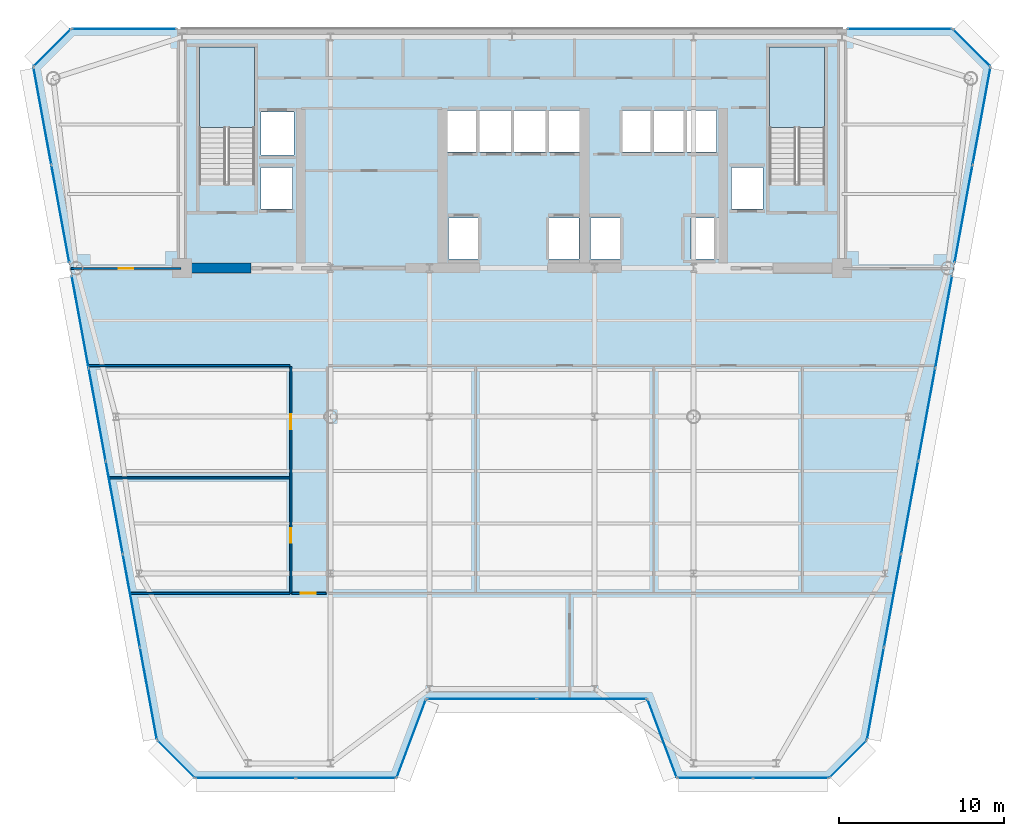
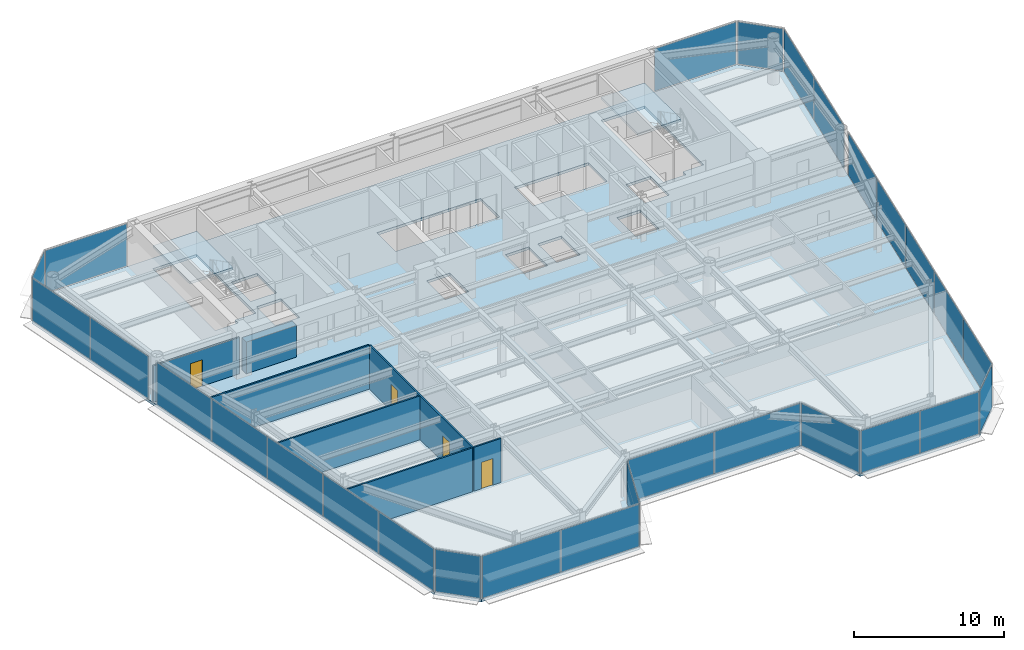
# One storey, part 9 of 16: 28 plates, 7 walls, 4 doors, 3 slabs, 4 openings, 17 elements without a shape of their own.
"""IFC4 building model written with IfcOpenShell, lengths in metres."""

from ifc_helpers import new_model, si_unit, direction, frame, frame_2d, origin, origin_2d, place, context, subcontext, project, spatial, polyline, rectangle, outline, extrude, source, transform, mapped, material, layer, layer_set, type_object, element, fill, aggregate, save


model = new_model("IFC4")

# Units and contexts
model_context = context("Model", 3, precision=1e-05, world=origin(), true_north=direction((0.0, 1.0)))
body_context = subcontext(model_context, "Body", "Model", "MODEL_VIEW")
ifc_project = project(units=[si_unit("LENGTHUNIT", "METRE"), si_unit("AREAUNIT", "SQUARE_METRE"), si_unit("VOLUMEUNIT", "CUBIC_METRE"), si_unit("PLANEANGLEUNIT", "RADIAN"), si_unit("MASSUNIT", "GRAM", prefix="KILO")], contexts=[model_context])

# Site, building, storey
site_placement = place(None, origin())
site = spatial("IfcSite", under=ifc_project, at=site_placement, CompositionType="ELEMENT")
building_placement = place(site_placement, origin())
building = spatial("IfcBuilding", under=site, at=building_placement, Name="Vaeldorn Concourse Tower", CompositionType="ELEMENT")
storey_placement = place(building_placement, frame((0.0, 0.0, 188.0)))
storey = spatial("IfcBuildingStorey", under=building, at=storey_placement, Name="L48", CompositionType="ELEMENT", Elevation=188.0)

# Stair, slab
ifc_material_1 = material(Name="Precast concrete C40/50", Category="concrete")
stair_type = type_object("IfcStairType", Name="STR-DOG-24x158", PredefinedType="HALF_TURN_STAIR", material=ifc_material_1)
stair_1_placement = place(storey_placement, origin())
stair_1 = element("IfcStair", 1, at=stair_1_placement, inside=storey, type_object=stair_type, Name="L48 West Core Exit Stair ST-1", PredefinedType="HALF_TURN_STAIR")
ifc_material_2 = material(Name="Concrete C40/50", Category="concrete")
ifc_layer_1 = layer(ifc_material_2, 0.199951171875)
ifc_layer_set_1 = layer_set([ifc_layer_1], Name="Concrete C40/50")
slab_type_1 = type_object("IfcSlabType", Name="SL-STAIR-LANDING", PredefinedType="LANDING", material=ifc_layer_set_1)
slab_1_placement = place(storey_placement, frame((0.0, 0.0, 1.699951171875)))
slab_1 = element("IfcSlab", 2, at=slab_1_placement, type_object=slab_type_1, Name="ST-1 landing 1", PredefinedType="LANDING", context=body_context, shape_type="SweptSolid", body=[
    extrude(outline(polyline([(18.39990234375, 45.010009765625), (18.39990234375, 49.89990234375), (15.050048828125, 49.89990234375), (15.050048828125, 45.010009765625), (18.39990234375, 45.010009765625)])), origin(), (0.0, 0.0, 1.0), 0.199951171875),
])
aggregate(stair_1, [slab_1])

stair_2_placement = place(storey_placement, origin())
stair_2 = element("IfcStair", 3, at=stair_2_placement, inside=storey, type_object=stair_type, Name="L48 East Core Exit Stair ST-2", PredefinedType="HALF_TURN_STAIR")
slab_2_placement = place(storey_placement, frame((0.0, 0.0, 1.699951171875)))
slab_2 = element("IfcSlab", 4, at=slab_2_placement, type_object=slab_type_1, Name="ST-2 landing 1", PredefinedType="LANDING", context=body_context, shape_type="SweptSolid", body=[
    extrude(outline(polyline([(52.949951171875, 45.010009765625), (52.949951171875, 49.89990234375), (49.60009765625, 49.89990234375), (49.60009765625, 45.010009765625), (52.949951171875, 45.010009765625)])), origin(), (0.0, 0.0, 1.0), 0.199951171875),
])
aggregate(stair_2, [slab_2])

# Slab
ifc_layer_2 = layer(ifc_material_2, 0.219970703125)
ifc_layer_set_2 = layer_set([ifc_layer_2], Name="Concrete C40/50")
slab_type_2 = type_object("IfcSlabType", Name="SL-TYP-220", PredefinedType="FLOOR", material=ifc_layer_set_2)
slab_3_placement = place(storey_placement, frame((0.0, 0.0, -0.219970703125)))
element("IfcSlab", 5, at=slab_3_placement, inside=storey, type_object=slab_type_2, Name="Structural Floor Slab L48", PredefinedType="FLOOR", context=body_context, shape_type="SweptSolid", body=[
    extrude(outline(polyline([(14.791015625, 5.60009765625), (27.0, 5.60009765625), (28.800048828125, 10.39990234375), (42.199951171875, 10.39990234375), (44.0, 5.60009765625), (53.208984375, 5.60009765625), (55.509033203125, 7.89990234375), (63.0, 48.699951171875), (60.699951171875, 51.0), (7.300048828125, 51.0), (5.0, 48.699951171875), (12.490966796875, 7.89990234375), (14.791015625, 5.60009765625)]), holes=[polyline([(18.39990234375, 42.0), (18.39990234375, 49.89990234375), (15.050048828125, 49.89990234375), (15.050048828125, 41.60009765625), (16.800048828125, 41.60009765625), (16.800048828125, 42.0), (18.39990234375, 42.0)]), polyline([(52.949951171875, 42.0), (52.949951171875, 49.89990234375), (49.60009765625, 49.89990234375), (49.60009765625, 41.60009765625), (51.35009765625, 41.60009765625), (51.35009765625, 42.0), (52.949951171875, 42.0)]), polyline([(30.14990234375, 37.050048828125), (31.949951171875, 37.050048828125), (31.949951171875, 39.550048828125), (30.14990234375, 39.550048828125), (30.14990234375, 37.050048828125)]), polyline([(36.25, 37.050048828125), (38.050048828125, 37.050048828125), (38.050048828125, 39.550048828125), (36.25, 39.550048828125), (36.25, 37.050048828125)]), polyline([(30.10009765625, 43.550048828125), (38.10009765625, 43.550048828125), (38.10009765625, 46.050048828125), (30.10009765625, 46.050048828125), (30.10009765625, 43.550048828125)]), polyline([(38.75, 37.050048828125), (40.550048828125, 37.050048828125), (40.550048828125, 39.550048828125), (38.75, 39.550048828125), (38.75, 37.050048828125)]), polyline([(44.85009765625, 37.050048828125), (46.64990234375, 37.050048828125), (46.64990234375, 39.550048828125), (44.85009765625, 39.550048828125), (44.85009765625, 37.050048828125)]), polyline([(40.699951171875, 43.550048828125), (46.39990234375, 43.550048828125), (46.39990234375, 46.050048828125), (40.699951171875, 46.050048828125), (40.699951171875, 43.550048828125)]), polyline([(18.800048828125, 43.35009765625), (20.800048828125, 43.35009765625), (20.800048828125, 45.949951171875), (18.800048828125, 45.949951171875), (18.800048828125, 43.35009765625)]), polyline([(18.800048828125, 40.10009765625), (20.699951171875, 40.10009765625), (20.699951171875, 42.60009765625), (18.800048828125, 42.60009765625), (18.800048828125, 40.10009765625)]), polyline([(47.300048828125, 40.10009765625), (49.199951171875, 40.10009765625), (49.199951171875, 42.60009765625), (47.300048828125, 42.60009765625), (47.300048828125, 40.10009765625)])]), origin(), (0.0, 0.0, 1.0), 0.219970703125),
])

# Curtain wall, plate
ifc_material_3 = material(Name="Anodised Bronze Aluminium", Category="aluminium")
ifc_layer_3 = layer(ifc_material_3, 0.18994140625)
ifc_layer_set_3 = layer_set([ifc_layer_3], Name="Anodised Bronze Aluminium")
curtain_wall_type = type_object("IfcCurtainWallType", Name="CW-SYS-03", PredefinedType="NOTDEFINED", material=ifc_layer_set_3)
curtain_wall_1_placement = place(storey_placement, origin())
curtain_wall_1 = element("IfcCurtainWall", 6, at=curtain_wall_1_placement, inside=storey, type_object=curtain_wall_type, Name="Unitised Curtain Wall CW-L48-E02-1", PredefinedType="NOTDEFINED")
ifc_material_4 = material(Name="Bronze Tinted Low-E Insulated Glass", Category="glass")
ifc_layer_4 = layer(ifc_material_4, 0.031982421875)
ifc_layer_set_4 = layer_set([ifc_layer_4], Name="Bronze Tinted Low-E Insulated Glass")
plate_type = type_object("IfcPlateType", Name="CWP-VISION-32", PredefinedType="CURTAIN_PANEL", material=ifc_layer_set_4)
shared_shape_1 = source(origin(), body_context, "Body", "SweptSolid", [
    extrude(rectangle(XDim=4.996337890625, YDim=0.031982421875, at=origin_2d()), origin(), (0.0, 0.0, 1.0), 3.449951171875),
])
plate_1_placement = place(storey_placement, frame((27.89990234375, 8.0, 0.06494140625), z_axis=(0.0, 0.0, 1.0), x_axis=(0.351123441595, 0.936329177566, 0.0)))
plate_1 = element("IfcPlate", 7, at=plate_1_placement, type_object=plate_type, Name="CW-03 panel 1.1", PredefinedType="CURTAIN_PANEL", context=body_context, shape_type="MappedRepresentation", body=[
    mapped(shared_shape_1, transform((0.0, 0.0, 0.0), scale=1.0)),
])
aggregate(curtain_wall_1, [plate_1])

curtain_wall_2_placement = place(storey_placement, origin())
curtain_wall_2 = element("IfcCurtainWall", 8, at=curtain_wall_2_placement, inside=storey, type_object=curtain_wall_type, Name="Unitised Curtain Wall CW-L48-E04-1", PredefinedType="NOTDEFINED")
plate_2_placement = place(storey_placement, frame((43.10009765625, 8.0, 0.06494140625), z_axis=(0.0, 0.0, 1.0), x_axis=(0.351123441595, -0.936329177566, 0.0)))
plate_2 = element("IfcPlate", 9, at=plate_2_placement, type_object=plate_type, Name="CW-03 panel 1.1", PredefinedType="CURTAIN_PANEL", context=body_context, shape_type="MappedRepresentation", body=[
    mapped(shared_shape_1, transform((0.0, 0.0, 0.0), scale=1.0)),
])
aggregate(curtain_wall_2, [plate_2])

# Curtain wall, plates
curtain_wall_3_placement = place(storey_placement, origin())
curtain_wall_3 = element("IfcCurtainWall", 10, at=curtain_wall_3_placement, inside=storey, type_object=curtain_wall_type, Name="Unitised Curtain Wall CW-L48-E03-1", PredefinedType="NOTDEFINED")
shared_shape_2 = source(origin(), body_context, "Body", "SweptSolid", [
    extrude(rectangle(XDim=6.6025390625, YDim=0.031982421875, at=origin_2d()), origin(), (0.0, 0.0, 1.0), 3.449951171875),
])
plate_3_placement = place(storey_placement, frame((32.166259765625, 10.39990234375, 0.06494140625), z_axis=(0.0, 0.0, 1.0), x_axis=(1.0, 0.0, 0.0)))
plate_3 = element("IfcPlate", 11, at=plate_3_placement, type_object=plate_type, Name="CW-03 panel 1.1", PredefinedType="CURTAIN_PANEL", context=body_context, shape_type="MappedRepresentation", body=[
    mapped(shared_shape_2, transform((0.0, 0.0, 0.0), scale=1.0)),
])
plate_4_placement = place(storey_placement, frame((38.833740234375, 10.39990234375, 0.06494140625), z_axis=(0.0, 0.0, 1.0), x_axis=(1.0, 0.0, 0.0)))
plate_4 = element("IfcPlate", 12, at=plate_4_placement, type_object=plate_type, Name="CW-03 panel 2.1", PredefinedType="CURTAIN_PANEL", context=body_context, shape_type="MappedRepresentation", body=[
    mapped(shared_shape_2, transform((0.0, 0.0, 0.0), scale=1.0)),
])
aggregate(curtain_wall_3, [plate_3, plate_4])

# Curtain wall, plate
curtain_wall_4_placement = place(storey_placement, origin())
curtain_wall_4 = element("IfcCurtainWall", 13, at=curtain_wall_4_placement, inside=storey, type_object=curtain_wall_type, Name="Unitised Curtain Wall CW-L48-E06-1", PredefinedType="NOTDEFINED")
shared_shape_3 = source(origin(), body_context, "Body", "SweptSolid", [
    extrude(rectangle(XDim=3.122802734375, YDim=0.031982421875, at=origin_2d()), origin(), (0.0, 0.0, 1.0), 3.449951171875),
])
plate_5_placement = place(storey_placement, frame((54.35888671875, 6.75, 0.06494140625), z_axis=(0.0, 0.0, 1.0), x_axis=(0.707106781187, 0.707106781187, 0.0)))
plate_5 = element("IfcPlate", 14, at=plate_5_placement, type_object=plate_type, Name="CW-03 panel 1.1", PredefinedType="CURTAIN_PANEL", context=body_context, shape_type="MappedRepresentation", body=[
    mapped(shared_shape_3, transform((0.0, 0.0, 0.0), scale=1.0)),
])
aggregate(curtain_wall_4, [plate_5])

curtain_wall_5_placement = place(storey_placement, origin())
curtain_wall_5 = element("IfcCurtainWall", 15, at=curtain_wall_5_placement, inside=storey, type_object=curtain_wall_type, Name="Unitised Curtain Wall CW-L48-E08-1", PredefinedType="NOTDEFINED")
plate_6_placement = place(storey_placement, frame((61.85009765625, 49.85009765625, 0.06494140625), z_axis=(0.0, 0.0, 1.0), x_axis=(-0.707106781187, 0.707106781187, 0.0)))
plate_6 = element("IfcPlate", 16, at=plate_6_placement, type_object=plate_type, Name="CW-03 panel 1.1", PredefinedType="CURTAIN_PANEL", context=body_context, shape_type="MappedRepresentation", body=[
    mapped(shared_shape_3, transform((0.0, 0.0, 0.0), scale=1.0)),
])
aggregate(curtain_wall_5, [plate_6])

curtain_wall_6_placement = place(storey_placement, origin())
curtain_wall_6 = element("IfcCurtainWall", 17, at=curtain_wall_6_placement, inside=storey, type_object=curtain_wall_type, Name="Unitised Curtain Wall CW-L48-E10-1", PredefinedType="NOTDEFINED")
plate_7_placement = place(storey_placement, frame((6.14990234375, 49.85009765625, 0.06494140625), z_axis=(0.0, 0.0, 1.0), x_axis=(-0.707106781187, -0.707106781187, 0.0)))
plate_7 = element("IfcPlate", 18, at=plate_7_placement, type_object=plate_type, Name="CW-03 panel 1.1", PredefinedType="CURTAIN_PANEL", context=body_context, shape_type="MappedRepresentation", body=[
    mapped(shared_shape_3, transform((0.0, 0.0, 0.0), scale=1.0)),
])
aggregate(curtain_wall_6, [plate_7])

curtain_wall_7_placement = place(storey_placement, origin())
curtain_wall_7 = element("IfcCurtainWall", 19, at=curtain_wall_7_placement, inside=storey, type_object=curtain_wall_type, Name="Unitised Curtain Wall CW-L48-E12-1", PredefinedType="NOTDEFINED")
plate_8_placement = place(storey_placement, frame((13.64111328125, 6.75, 0.06494140625), z_axis=(0.0, 0.0, 1.0), x_axis=(0.707106781187, -0.707106781187, 0.0)))
plate_8 = element("IfcPlate", 20, at=plate_8_placement, type_object=plate_type, Name="CW-03 panel 1.1", PredefinedType="CURTAIN_PANEL", context=body_context, shape_type="MappedRepresentation", body=[
    mapped(shared_shape_3, transform((0.0, 0.0, 0.0), scale=1.0)),
])
aggregate(curtain_wall_7, [plate_8])

curtain_wall_8_placement = place(storey_placement, origin())
curtain_wall_8 = element("IfcCurtainWall", 21, at=curtain_wall_8_placement, inside=storey, type_object=curtain_wall_type, Name="Unitised Curtain Wall CW-L48-E09-1", PredefinedType="NOTDEFINED")
shared_shape_4 = source(origin(), body_context, "Body", "SweptSolid", [
    extrude(rectangle(XDim=6.27490234375, YDim=0.031982421875, at=origin_2d()), origin(), (0.0, 0.0, 1.0), 3.449951171875),
])
plate_9_placement = place(storey_placement, frame((57.49755859375, 51.0, 0.06494140625), z_axis=(0.0, 0.0, 1.0), x_axis=(-1.0, 0.0, 0.0)))
plate_9 = element("IfcPlate", 22, at=plate_9_placement, type_object=plate_type, Name="CW-03 panel 1.1", PredefinedType="CURTAIN_PANEL", context=body_context, shape_type="MappedRepresentation", body=[
    mapped(shared_shape_4, transform((0.0, 0.0, 0.0), scale=1.0)),
])
aggregate(curtain_wall_8, [plate_9])

curtain_wall_9_placement = place(storey_placement, origin())
curtain_wall_9 = element("IfcCurtainWall", 23, at=curtain_wall_9_placement, inside=storey, type_object=curtain_wall_type, Name="Unitised Curtain Wall CW-L48-E09-2", PredefinedType="NOTDEFINED")
plate_10_placement = place(storey_placement, frame((10.50244140625, 51.0, 0.06494140625), z_axis=(0.0, 0.0, 1.0), x_axis=(-1.0, 0.0, 0.0)))
plate_10 = element("IfcPlate", 24, at=plate_10_placement, type_object=plate_type, Name="CW-03 panel 1.1", PredefinedType="CURTAIN_PANEL", context=body_context, shape_type="MappedRepresentation", body=[
    mapped(shared_shape_4, transform((0.0, 0.0, 0.0), scale=1.0)),
])
aggregate(curtain_wall_9, [plate_10])

# Curtain wall, plates
curtain_wall_10_placement = place(storey_placement, origin())
curtain_wall_10 = element("IfcCurtainWall", 25, at=curtain_wall_10_placement, inside=storey, type_object=curtain_wall_type, Name="Unitised Curtain Wall CW-L48-E07-1", PredefinedType="NOTDEFINED")
shared_shape_5 = source(origin(), body_context, "Body", "SweptSolid", [
    extrude(rectangle(XDim=5.63330078125, YDim=0.031982421875, at=origin_2d()), origin(), (0.0, 0.0, 1.0), 3.449951171875),
])
plate_11_placement = place(storey_placement, frame((56.029296875, 10.734375, 0.06494140625), z_axis=(0.0, 0.0, 1.0), x_axis=(0.180585309951, 0.983559325018, 0.0)))
plate_11 = element("IfcPlate", 26, at=plate_11_placement, type_object=plate_type, Name="CW-03 panel 1.1", PredefinedType="CURTAIN_PANEL", context=body_context, shape_type="MappedRepresentation", body=[
    mapped(shared_shape_5, transform((0.0, 0.0, 0.0), scale=1.0)),
])
plate_12_placement = place(storey_placement, frame((60.1630859375, 33.249267578125, 0.06494140625), z_axis=(0.0, 0.0, 1.0), x_axis=(0.180585309951, 0.983559325018, 0.0)))
plate_12 = element("IfcPlate", 27, at=plate_12_placement, type_object=plate_type, Name="CW-03 panel 5.1", PredefinedType="CURTAIN_PANEL", context=body_context, shape_type="MappedRepresentation", body=[
    mapped(shared_shape_5, transform((0.0, 0.0, 0.0), scale=1.0)),
])

curtain_wall_11_placement = place(storey_placement, origin())
curtain_wall_11 = element("IfcCurtainWall", 28, at=curtain_wall_11_placement, inside=storey, type_object=curtain_wall_type, Name="Unitised Curtain Wall CW-L48-E11-2", PredefinedType="NOTDEFINED")
plate_13_placement = place(storey_placement, frame((7.8369140625, 33.249267578125, 0.06494140625), z_axis=(0.0, 0.0, 1.0), x_axis=(0.180585309951, -0.983559325018, 0.0)))
plate_13 = element("IfcPlate", 29, at=plate_13_placement, type_object=plate_type, Name="CW-03 panel 1.1", PredefinedType="CURTAIN_PANEL", context=body_context, shape_type="MappedRepresentation", body=[
    mapped(shared_shape_5, transform((0.0, 0.0, 0.0), scale=1.0)),
])
plate_14_placement = place(storey_placement, frame((11.970703125, 10.734375, 0.06494140625), z_axis=(0.0, 0.0, 1.0), x_axis=(0.180585309951, -0.983559325018, 0.0)))
plate_14 = element("IfcPlate", 30, at=plate_14_placement, type_object=plate_type, Name="CW-03 panel 5.1", PredefinedType="CURTAIN_PANEL", context=body_context, shape_type="MappedRepresentation", body=[
    mapped(shared_shape_5, transform((0.0, 0.0, 0.0), scale=1.0)),
])

# Plate
shared_shape_6 = source(origin(), body_context, "Body", "SweptSolid", [
    extrude(rectangle(XDim=5.666015625, YDim=0.031982421875, at=origin_2d()), origin(), (0.0, 0.0, 1.0), 3.449951171875),
])
plate_15_placement = place(storey_placement, frame((57.061279296875, 16.35498046875, 0.06494140625), z_axis=(0.0, 0.0, 1.0), x_axis=(0.180585309951, 0.983559325018, 0.0)))
plate_15 = element("IfcPlate", 31, at=plate_15_placement, type_object=plate_type, Name="CW-03 panel 2.1", PredefinedType="CURTAIN_PANEL", context=body_context, shape_type="MappedRepresentation", body=[
    mapped(shared_shape_6, transform((0.0, 0.0, 0.0), scale=1.0)),
])

plate_16_placement = place(storey_placement, frame((58.09619140625, 21.99169921875, 0.06494140625), z_axis=(0.0, 0.0, 1.0), x_axis=(0.180585309951, 0.983559325018, 0.0)))
plate_16 = element("IfcPlate", 32, at=plate_16_placement, type_object=plate_type, Name="CW-03 panel 3.1", PredefinedType="CURTAIN_PANEL", context=body_context, shape_type="MappedRepresentation", body=[
    mapped(shared_shape_6, transform((0.0, 0.0, 0.0), scale=1.0)),
])

plate_17_placement = place(storey_placement, frame((59.131103515625, 27.62841796875, 0.06494140625), z_axis=(0.0, 0.0, 1.0), x_axis=(0.180585309951, 0.983559325018, 0.0)))
plate_17 = element("IfcPlate", 33, at=plate_17_placement, type_object=plate_type, Name="CW-03 panel 4.1", PredefinedType="CURTAIN_PANEL", context=body_context, shape_type="MappedRepresentation", body=[
    mapped(shared_shape_6, transform((0.0, 0.0, 0.0), scale=1.0)),
])

aggregate(curtain_wall_10, [plate_11, plate_15, plate_16, plate_17, plate_12])

plate_18_placement = place(storey_placement, frame((8.868896484375, 27.62841796875, 0.06494140625), z_axis=(0.0, 0.0, 1.0), x_axis=(0.180585309951, -0.983559325018, 0.0)))
plate_18 = element("IfcPlate", 34, at=plate_18_placement, type_object=plate_type, Name="CW-03 panel 2.1", PredefinedType="CURTAIN_PANEL", context=body_context, shape_type="MappedRepresentation", body=[
    mapped(shared_shape_6, transform((0.0, 0.0, 0.0), scale=1.0)),
])

plate_19_placement = place(storey_placement, frame((9.90380859375, 21.99169921875, 0.06494140625), z_axis=(0.0, 0.0, 1.0), x_axis=(0.180585309951, -0.983559325018, 0.0)))
plate_19 = element("IfcPlate", 35, at=plate_19_placement, type_object=plate_type, Name="CW-03 panel 3.1", PredefinedType="CURTAIN_PANEL", context=body_context, shape_type="MappedRepresentation", body=[
    mapped(shared_shape_6, transform((0.0, 0.0, 0.0), scale=1.0)),
])

plate_20_placement = place(storey_placement, frame((10.938720703125, 16.35498046875, 0.06494140625), z_axis=(0.0, 0.0, 1.0), x_axis=(0.180585309951, -0.983559325018, 0.0)))
plate_20 = element("IfcPlate", 36, at=plate_20_placement, type_object=plate_type, Name="CW-03 panel 4.1", PredefinedType="CURTAIN_PANEL", context=body_context, shape_type="MappedRepresentation", body=[
    mapped(shared_shape_6, transform((0.0, 0.0, 0.0), scale=1.0)),
])

aggregate(curtain_wall_11, [plate_13, plate_18, plate_19, plate_20, plate_14])

# Curtain wall, plates
curtain_wall_12_placement = place(storey_placement, origin())
curtain_wall_12 = element("IfcCurtainWall", 37, at=curtain_wall_12_placement, inside=storey, type_object=curtain_wall_type, Name="Unitised Curtain Wall CW-L48-E07-2", PredefinedType="NOTDEFINED")
shared_shape_7 = source(origin(), body_context, "Body", "SweptSolid", [
    extrude(rectangle(XDim=5.9482421875, YDim=0.031982421875, at=origin_2d()), origin(), (0.0, 0.0, 1.0), 3.449951171875),
])
plate_21_placement = place(storey_placement, frame((61.365234375, 39.796630859375, 0.06494140625), z_axis=(0.0, 0.0, 1.0), x_axis=(0.180584576845, 0.983559459619, 0.0)))
plate_21 = element("IfcPlate", 38, at=plate_21_placement, type_object=plate_type, Name="CW-03 panel 1.1", PredefinedType="CURTAIN_PANEL", context=body_context, shape_type="MappedRepresentation", body=[
    mapped(shared_shape_7, transform((0.0, 0.0, 0.0), scale=1.0)),
])
plate_22_placement = place(storey_placement, frame((62.451171875, 45.7109375, 0.06494140625), z_axis=(0.0, 0.0, 1.0), x_axis=(0.180584576845, 0.983559459619, 0.0)))
plate_22 = element("IfcPlate", 39, at=plate_22_placement, type_object=plate_type, Name="CW-03 panel 2.1", PredefinedType="CURTAIN_PANEL", context=body_context, shape_type="MappedRepresentation", body=[
    mapped(shared_shape_7, transform((0.0, 0.0, 0.0), scale=1.0)),
])
aggregate(curtain_wall_12, [plate_21, plate_22])

curtain_wall_13_placement = place(storey_placement, origin())
curtain_wall_13 = element("IfcCurtainWall", 40, at=curtain_wall_13_placement, inside=storey, type_object=curtain_wall_type, Name="Unitised Curtain Wall CW-L48-E11-1", PredefinedType="NOTDEFINED")
plate_23_placement = place(storey_placement, frame((5.548828125, 45.7109375, 0.06494140625), z_axis=(0.0, 0.0, 1.0), x_axis=(0.180584576845, -0.983559459619, 0.0)))
plate_23 = element("IfcPlate", 41, at=plate_23_placement, type_object=plate_type, Name="CW-03 panel 1.1", PredefinedType="CURTAIN_PANEL", context=body_context, shape_type="MappedRepresentation", body=[
    mapped(shared_shape_7, transform((0.0, 0.0, 0.0), scale=1.0)),
])
plate_24_placement = place(storey_placement, frame((6.634765625, 39.796630859375, 0.06494140625), z_axis=(0.0, 0.0, 1.0), x_axis=(0.180584576845, -0.983559459619, 0.0)))
plate_24 = element("IfcPlate", 42, at=plate_24_placement, type_object=plate_type, Name="CW-03 panel 2.1", PredefinedType="CURTAIN_PANEL", context=body_context, shape_type="MappedRepresentation", body=[
    mapped(shared_shape_7, transform((0.0, 0.0, 0.0), scale=1.0)),
])
aggregate(curtain_wall_13, [plate_23, plate_24])

curtain_wall_14_placement = place(storey_placement, origin())
curtain_wall_14 = element("IfcCurtainWall", 43, at=curtain_wall_14_placement, inside=storey, type_object=curtain_wall_type, Name="Unitised Curtain Wall CW-L48-E01-1", PredefinedType="NOTDEFINED")
shared_shape_8 = source(origin(), body_context, "Body", "SweptSolid", [
    extrude(rectangle(XDim=6.007080078125, YDim=0.031982421875, at=origin_2d()), origin(), (0.0, 0.0, 1.0), 3.449951171875),
])
plate_25_placement = place(storey_placement, frame((17.859619140625, 5.60009765625, 0.06494140625), z_axis=(0.0, 0.0, 1.0), x_axis=(1.0, 0.0, 0.0)))
plate_25 = element("IfcPlate", 44, at=plate_25_placement, type_object=plate_type, Name="CW-03 panel 1.1", PredefinedType="CURTAIN_PANEL", context=body_context, shape_type="MappedRepresentation", body=[
    mapped(shared_shape_8, transform((0.0, 0.0, 0.0), scale=1.0)),
])
plate_26_placement = place(storey_placement, frame((23.931396484375, 5.60009765625, 0.06494140625), z_axis=(0.0, 0.0, 1.0), x_axis=(1.0, 0.0, 0.0)))
plate_26 = element("IfcPlate", 45, at=plate_26_placement, type_object=plate_type, Name="CW-03 panel 2.1", PredefinedType="CURTAIN_PANEL", context=body_context, shape_type="MappedRepresentation", body=[
    mapped(shared_shape_8, transform((0.0, 0.0, 0.0), scale=1.0)),
])
aggregate(curtain_wall_14, [plate_25, plate_26])

curtain_wall_15_placement = place(storey_placement, origin())
curtain_wall_15 = element("IfcCurtainWall", 46, at=curtain_wall_15_placement, inside=storey, type_object=curtain_wall_type, Name="Unitised Curtain Wall CW-L48-E05-1", PredefinedType="NOTDEFINED")
shared_shape_9 = source(origin(), body_context, "Body", "SweptSolid", [
    extrude(rectangle(XDim=4.507080078125, YDim=0.031982421875, at=origin_2d()), origin(), (0.0, 0.0, 1.0), 3.449951171875),
])
plate_27_placement = place(storey_placement, frame((46.318603515625, 5.60009765625, 0.06494140625), z_axis=(0.0, 0.0, 1.0), x_axis=(1.0, 0.0, 0.0)))
plate_27 = element("IfcPlate", 47, at=plate_27_placement, type_object=plate_type, Name="CW-03 panel 1.1", PredefinedType="CURTAIN_PANEL", context=body_context, shape_type="MappedRepresentation", body=[
    mapped(shared_shape_9, transform((0.0, 0.0, 0.0), scale=1.0)),
])
plate_28_placement = place(storey_placement, frame((50.890380859375, 5.60009765625, 0.06494140625), z_axis=(0.0, 0.0, 1.0), x_axis=(1.0, 0.0, 0.0)))
plate_28 = element("IfcPlate", 48, at=plate_28_placement, type_object=plate_type, Name="CW-03 panel 2.1", PredefinedType="CURTAIN_PANEL", context=body_context, shape_type="MappedRepresentation", body=[
    mapped(shared_shape_9, transform((0.0, 0.0, 0.0), scale=1.0)),
])
aggregate(curtain_wall_15, [plate_27, plate_28])

# Walls
ifc_material_5 = material(Name="Concrete C50/60", Category="concrete")
ifc_layer_5 = layer(ifc_material_5, 0.60009765625)
ifc_layer_set_5 = layer_set([ifc_layer_5], Name="Concrete C50/60")
wall_type_1 = type_object("IfcWallType", Name="WL-CORE-600", PredefinedType="SHEAR", material=ifc_layer_set_5)
wall_1_placement = place(storey_placement, frame((14.320068359375, 36.5, 0.0), z_axis=(0.0, 0.0, 1.0), x_axis=(1.0, 0.0, 0.0)))
element("IfcWall", 49, at=wall_1_placement, inside=storey, type_object=wall_type_1, Name="Rear Core Shear Wall L48 S1", PredefinedType="SHEAR", context=body_context, shape_type="SweptSolid", body=[
    extrude(rectangle(XDim=3.8798828125, YDim=0.60009765625, at=frame_2d((1.93994140625, 0.0))), origin(), (0.0, 0.0, 1.0), 2.580078125),
])
ifc_material_6 = material(Name="Gypsum Board Partition", Category="gypsum")
ifc_layer_6 = layer(ifc_material_6, 0.1201171875)
ifc_layer_set_6 = layer_set([ifc_layer_6], Name="Gypsum Board Partition")
wall_type_2 = type_object("IfcWallType", Name="WL-PART-120", PredefinedType="PARTITIONING", material=ifc_layer_set_6)
wall_2_placement = place(storey_placement, frame((8.36328125, 30.60009765625, 0.0), z_axis=(0.0, 0.0, 1.0), x_axis=(1.0, 0.0, 0.0)))
element("IfcWall", 50, at=wall_2_placement, inside=storey, type_object=wall_type_2, Name="Interior Wall PW-L48-C2SW", PredefinedType="PARTITIONING", context=body_context, shape_type="SweptSolid", body=[
    extrude(rectangle(XDim=12.1767578125, YDim=0.1201171875, at=frame_2d((6.08837890625, 0.0))), origin(), (0.0, 0.0, 1.0), 3.580078125),
])

# Wall, openings, doors
wall_3_placement = place(storey_placement, frame((20.60009765625, 16.800048828125, 0.0), z_axis=(0.0, 0.0, 1.0), x_axis=(0.0, 1.0, 0.0)))
wall_3 = element("IfcWall", 51, at=wall_3_placement, inside=storey, type_object=wall_type_2, Name="Interior Wall PW-L48-SP2W", PredefinedType="PARTITIONING", context=body_context, shape_type="SweptSolid", body=[
    extrude(rectangle(XDim=13.739990234375, YDim=0.1201171875, at=frame_2d((6.8701171875, 0.0))), origin(), (0.0, 0.0, 1.0), 3.580078125),
])
opening_1_placement = place(wall_3_placement, frame((3.050048828125, 0.0, 0.0)))
opening_1 = element("IfcOpeningElement", 52, at=opening_1_placement, cuts=wall_3, Name="Opening D-03", PredefinedType="OPENING", context=body_context, shape_type="SweptSolid", body=[
    extrude(rectangle(XDim=0.89990234375, YDim=2.14990234375, at=frame_2d((0.449951171875, 1.074951171875))), frame((0.0, 0.070068359375, 0.0), z_axis=(0.0, -1.0, 0.0), x_axis=(1.0, 0.0, 0.0)), (0.0, 0.0, 1.0), 0.14013671875),
])
opening_2_placement = place(wall_3_placement, frame((9.949951171875, 0.0, 0.0)))
opening_2 = element("IfcOpeningElement", 53, at=opening_2_placement, cuts=wall_3, Name="Opening D-03", PredefinedType="OPENING", context=body_context, shape_type="SweptSolid", body=[
    extrude(rectangle(XDim=0.89990234375, YDim=2.14990234375, at=frame_2d((0.449951171875, 1.074951171875))), frame((0.0, 0.070068359375, 0.0), z_axis=(0.0, -1.0, 0.0), x_axis=(1.0, 0.0, 0.0)), (0.0, 0.0, 1.0), 0.14013671875),
])
ifc_material_7 = material(Name="Acoustic Bronze-Framed Glass Door", Category="glass")
door_type = type_object("IfcDoorType", Name="DR-INT-900", OperationType="NOTDEFINED", PredefinedType="DOOR", material=ifc_material_7)
shared_shape_10 = source(origin(), body_context, "Body", "SweptSolid", [
    extrude(rectangle(XDim=0.89990234375, YDim=2.14990234375, at=frame_2d((0.449951171875, 1.074951171875))), frame((0.0, 0.02490234375, 0.0), z_axis=(0.0, -1.0, 0.0), x_axis=(1.0, 0.0, 0.0)), (0.0, 0.0, 1.0), 0.050048828125),
])
door_1_placement = place(opening_1_placement, origin())
door_1 = element("IfcDoor", 54, at=door_1_placement, inside=storey, type_object=door_type, Name="Interior Door DR-L48-Z2W1", OperationType="SINGLE_SWING_LEFT", OverallHeight=2.14990234375, OverallWidth=0.89990234375, PredefinedType="DOOR", context=body_context, shape_type="MappedRepresentation", body=[
    mapped(shared_shape_10, transform((0.0, 0.0, 0.0), scale=1.0)),
])
fill(opening_1, door_1)
door_2_placement = place(opening_2_placement, origin())
door_2 = element("IfcDoor", 55, at=door_2_placement, inside=storey, type_object=door_type, Name="Interior Door DR-L48-Z2W2", OperationType="SINGLE_SWING_RIGHT", OverallHeight=2.14990234375, OverallWidth=0.89990234375, PredefinedType="DOOR", context=body_context, shape_type="MappedRepresentation", body=[
    mapped(shared_shape_10, transform((0.0, 0.0, 0.0), scale=1.0)),
])
fill(opening_2, door_2)

# Wall, opening, door
wall_4_placement = place(storey_placement, frame((20.659912109375, 16.800048828125, 0.0), z_axis=(0.0, 0.0, 1.0), x_axis=(1.0, 0.0, 0.0)))
wall_4 = element("IfcWall", 56, at=wall_4_placement, inside=storey, type_object=wall_type_2, Name="Interior Wall PW-L48-SP2S", PredefinedType="PARTITIONING", context=body_context, shape_type="SweptSolid", body=[
    extrude(rectangle(XDim=2.080078125, YDim=0.1201171875, at=frame_2d((1.0400390625, 0.0))), origin(), (0.0, 0.0, 1.0), 3.580078125),
])
opening_3_placement = place(wall_4_placement, frame((0.550048828125, 0.0, 0.0)))
opening_3 = element("IfcOpeningElement", 57, at=opening_3_placement, cuts=wall_4, Name="Opening D-03", PredefinedType="OPENING", context=body_context, shape_type="SweptSolid", body=[
    extrude(rectangle(XDim=0.89990234375, YDim=2.14990234375, at=frame_2d((0.449951171875, 1.074951171875))), frame((0.0, 0.070068359375, 0.0), z_axis=(0.0, -1.0, 0.0), x_axis=(1.0, 0.0, 0.0)), (0.0, 0.0, 1.0), 0.14013671875),
])
door_3_placement = place(opening_3_placement, origin())
door_3 = element("IfcDoor", 58, at=door_3_placement, inside=storey, type_object=door_type, Name="Interior Door DR-L48-Z2SFM", OperationType="SINGLE_SWING_LEFT", OverallHeight=2.14990234375, OverallWidth=0.89990234375, PredefinedType="DOOR", context=body_context, shape_type="MappedRepresentation", body=[
    mapped(shared_shape_10, transform((0.0, 0.0, 0.0), scale=1.0)),
])
fill(opening_3, door_3)

wall_5_placement = place(storey_placement, frame((7.2890625, 36.47998046875, 0.0), z_axis=(0.0, 0.0, 1.0), x_axis=(1.0, 0.0, 0.0)))
wall_5 = element("IfcWall", 59, at=wall_5_placement, inside=storey, type_object=wall_type_2, Name="Interior Wall PW-L48-NWS", PredefinedType="PARTITIONING", context=body_context, shape_type="SweptSolid", body=[
    extrude(rectangle(XDim=6.65087890625, YDim=0.1201171875, at=frame_2d((3.325439453125, 0.0))), origin(), (0.0, 0.0, 1.0), 2.969970703125),
])
opening_4_placement = place(wall_5_placement, frame((2.875, 0.0, 0.0)))
opening_4 = element("IfcOpeningElement", 60, at=opening_4_placement, cuts=wall_5, Name="Opening D-03", PredefinedType="OPENING", context=body_context, shape_type="SweptSolid", body=[
    extrude(rectangle(XDim=0.89990234375, YDim=2.14990234375, at=frame_2d((0.449951171875, 1.074951171875))), frame((0.0, 0.070068359375, 0.0), z_axis=(0.0, -1.0, 0.0), x_axis=(1.0, 0.0, 0.0)), (0.0, 0.0, 1.0), 0.14013671875),
])
door_4_placement = place(opening_4_placement, origin())
door_4 = element("IfcDoor", 61, at=door_4_placement, inside=storey, type_object=door_type, Name="Interior Door DR-L48-NWC", OperationType="SINGLE_SWING_LEFT", OverallHeight=2.14990234375, OverallWidth=0.89990234375, PredefinedType="DOOR", context=body_context, shape_type="MappedRepresentation", body=[
    mapped(shared_shape_10, transform((0.0, 0.0, 0.0), scale=1.0)),
])
fill(opening_4, door_4)

# Walls
wall_6_placement = place(storey_placement, frame((10.89697265625, 16.800048828125, 0.0), z_axis=(0.0, 0.0, 1.0), x_axis=(1.0, 0.0, 0.0)))
element("IfcWall", 62, at=wall_6_placement, inside=storey, type_object=wall_type_2, Name="Interior Wall PW-L48-S2WL", PredefinedType="PARTITIONING", context=body_context, shape_type="SweptSolid", body=[
    extrude(rectangle(XDim=9.64306640625, YDim=0.1201171875, at=frame_2d((4.821533203125, 0.0))), origin(), (0.0, 0.0, 1.0), 3.580078125),
])
wall_7_placement = place(storey_placement, frame((9.61181640625, 23.800048828125, 0.0), z_axis=(0.0, 0.0, 1.0), x_axis=(1.0, 0.0, 0.0)))
element("IfcWall", 63, at=wall_7_placement, inside=storey, type_object=wall_type_2, Name="Interior Wall PW-L48-Z2WY1", PredefinedType="PARTITIONING", context=body_context, shape_type="SweptSolid", body=[
    extrude(rectangle(XDim=10.92822265625, YDim=0.1201171875, at=frame_2d((5.464111328125, 0.0))), origin(), (0.0, 0.0, 1.0), 3.580078125),
])

save(model, "model.ifc")
